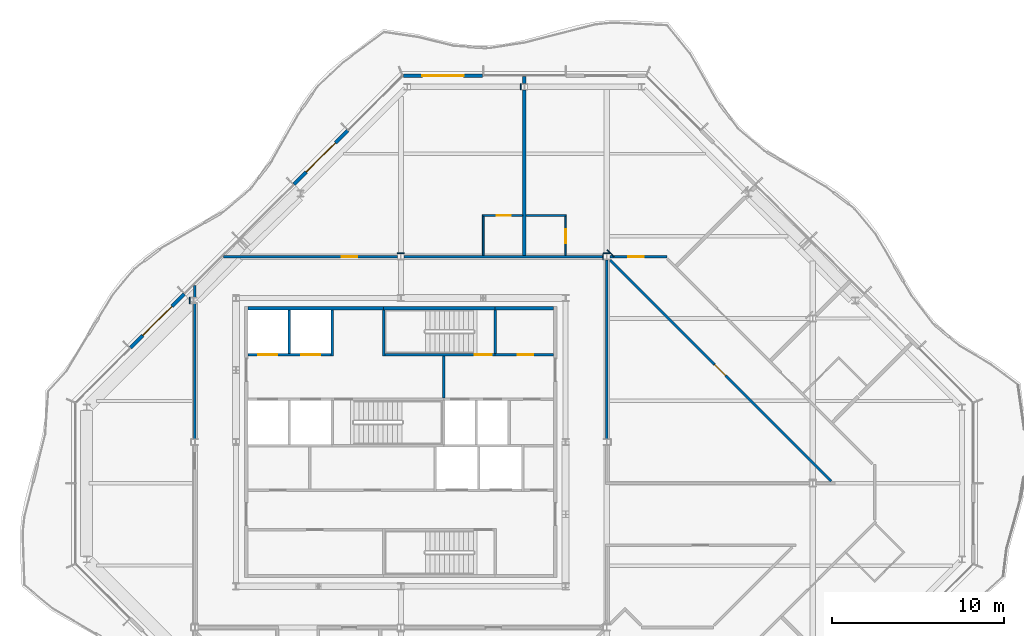
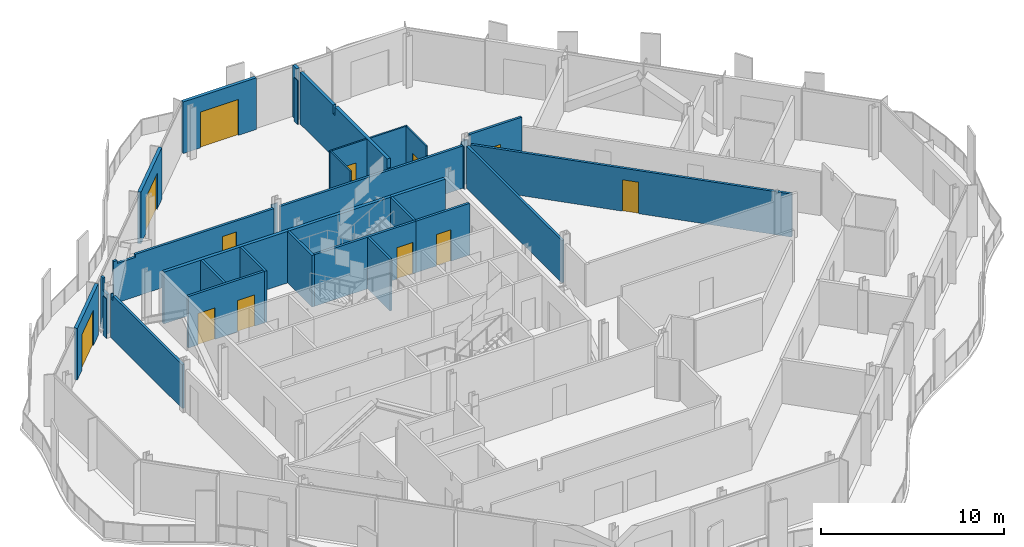
# One storey, part 10 of 16: 33 walls, 12 doors, 12 openings.
"""IFC4 building model written with IfcOpenShell, lengths in metres."""

from ifc_helpers import new_model, si_unit, direction, frame, frame_2d, origin, place, context, subcontext, project, spatial, polyline, rectangle, outline, extrude, material, layer, layer_set, type_object, element, fill, save


model = new_model("IFC4")

# Units and contexts
model_context = context("Model", 3, precision=1e-05, world=origin(), true_north=direction((0.0, 1.0)))
body_context = subcontext(model_context, "Body", "Model", "MODEL_VIEW")
ifc_project = project(units=[si_unit("LENGTHUNIT", "METRE"), si_unit("AREAUNIT", "SQUARE_METRE"), si_unit("VOLUMEUNIT", "CUBIC_METRE"), si_unit("PLANEANGLEUNIT", "RADIAN"), si_unit("MASSUNIT", "GRAM", prefix="KILO")], contexts=[model_context])

# Site, building, storey
site_placement = place(None, origin())
site = spatial("IfcSite", under=ifc_project, at=site_placement, CompositionType="ELEMENT")
building_placement = place(site_placement, origin())
building = spatial("IfcBuilding", under=site, at=building_placement, Name="Cairn Pilgrim Tower", CompositionType="ELEMENT")
storey_placement = place(building_placement, frame((0.0, 0.0, 288.60009765625)))
storey = spatial("IfcBuildingStorey", under=building, at=storey_placement, Name="L74", CompositionType="ELEMENT", Elevation=288.60009765625)

# Wall, opening, door
ifc_material_1 = material(Name="Bronze anodised aluminium insulated sandwich panel with mineral wool fill", Category="aluminium")
ifc_layer_1 = layer(ifc_material_1, 0.199951171875)
ifc_layer_set_1 = layer_set([ifc_layer_1], Name="BRONZE INFILL FRAME WALL 200")
wall_type_1 = type_object("IfcWallType", Name="BRONZE INFILL FRAME WALL 200", PredefinedType="NOTDEFINED", material=ifc_layer_set_1)
wall_1_placement = place(storey_placement, frame((11.969970703125, 23.75, 0.0), z_axis=(0.0, 0.0, 1.0), x_axis=(-1.0, 0.0, 0.0)))
wall_1 = element("IfcWall", 1, at=wall_1_placement, inside=storey, type_object=wall_type_1, Name="Bronze infill frame wall IW-N3", PredefinedType="NOTDEFINED", context=body_context, shape_type="SweptSolid", body=[
    extrude(rectangle(XDim=4.62646484375, YDim=0.199951171875, at=frame_2d((2.313232421875, 0.0))), origin(), (0.0, 0.0, 1.0), 3.449951171875),
])
opening_1_placement = place(wall_1_placement, frame((1.117919921875, 0.0, 0.0)))
opening_1 = element("IfcOpeningElement", 2, at=opening_1_placement, cuts=wall_1, Name="Opening 7407B2", PredefinedType="OPENING", context=body_context, shape_type="SweptSolid", body=[
    extrude(rectangle(XDim=2.39990234375, YDim=2.39990234375, at=frame_2d((1.199951171875, 1.199951171875))), frame((0.0, 0.10986328125, 0.0), z_axis=(0.0, -1.0, 0.0), x_axis=(1.0, 0.0, 0.0)), (0.0, 0.0, 1.0), 0.219970703125),
])
ifc_material_2 = material(Name="Bronze anodised aluminium frame with tinted low-E glass", Category="aluminium")
door_type_1 = type_object("IfcDoorType", Name="BALCONY SLIDING DOOR 2400x2400", OperationType="DOUBLE_DOOR_SLIDING", PredefinedType="DOOR", material=ifc_material_2)
door_1_placement = place(opening_1_placement, origin())
door_1 = element("IfcDoor", 3, at=door_1_placement, inside=storey, type_object=door_type_1, Name="Balcony sliding door 7407B2", OperationType="SINGLE_SWING_LEFT", OverallHeight=2.39990234375, OverallWidth=2.39990234375, PredefinedType="DOOR", context=body_context, shape_type="SweptSolid", body=[
    extrude(rectangle(XDim=2.39990234375, YDim=2.39990234375, at=frame_2d((1.199951171875, 1.199951171875))), frame((0.0, 0.02490234375, 0.0), z_axis=(0.0, -1.0, 0.0), x_axis=(1.0, 0.0, 0.0)), (0.0, 0.0, 1.0), 0.050048828125),
])
fill(opening_1, door_1)

wall_2_placement = place(storey_placement, frame((4.106689453125, 20.55322265625, 0.0), z_axis=(0.0, 0.0, 1.0), x_axis=(-0.707079231393, -0.707134329907, 0.0)))
wall_2 = element("IfcWall", 4, at=wall_2_placement, inside=storey, type_object=wall_type_1, Name="Bronze infill frame wall IW-NW2", PredefinedType="NOTDEFINED", context=body_context, shape_type="SweptSolid", body=[
    extrude(rectangle(XDim=4.430908203125, YDim=0.199951171875, at=frame_2d((2.21533203125, 0.0))), origin(), (0.0, 0.0, 1.0), 3.449951171875),
])
opening_2_placement = place(wall_2_placement, frame((1.015380859375, 0.0, 0.0)))
opening_2 = element("IfcOpeningElement", 5, at=opening_2_placement, cuts=wall_2, Name="Opening 7407B", PredefinedType="OPENING", context=body_context, shape_type="SweptSolid", body=[
    extrude(rectangle(XDim=2.39990234375, YDim=2.39990234375, at=frame_2d((1.199951171875, 1.199951171875))), frame((0.0, 0.10986328125, 0.0), z_axis=(0.0, -1.0, 0.0), x_axis=(1.0, 0.0, 0.0)), (0.0, 0.0, 1.0), 0.219970703125),
])
door_2_placement = place(opening_2_placement, origin())
door_2 = element("IfcDoor", 6, at=door_2_placement, inside=storey, type_object=door_type_1, Name="Balcony sliding door 7407B", OperationType="SINGLE_SWING_LEFT", OverallHeight=2.39990234375, OverallWidth=2.39990234375, PredefinedType="DOOR", context=body_context, shape_type="SweptSolid", body=[
    extrude(rectangle(XDim=2.39990234375, YDim=2.39990234375, at=frame_2d((1.199951171875, 1.199951171875))), frame((0.0, 0.02490234375, 0.0), z_axis=(0.0, -1.0, 0.0), x_axis=(1.0, 0.0, 0.0)), (0.0, 0.0, 1.0), 0.050048828125),
])
fill(opening_2, door_2)

wall_3_placement = place(storey_placement, frame((-5.419921875, 11.0263671875, 0.0), z_axis=(0.0, 0.0, 1.0), x_axis=(-0.707134329907, -0.707079231393, 0.0)))
wall_3 = element("IfcWall", 7, at=wall_3_placement, inside=storey, type_object=wall_type_1, Name="Bronze infill frame wall IW-NW5", PredefinedType="NOTDEFINED", context=body_context, shape_type="SweptSolid", body=[
    extrude(rectangle(XDim=4.430908203125, YDim=0.199951171875, at=frame_2d((2.21533203125, 0.0))), origin(), (0.0, 0.0, 1.0), 3.449951171875),
])
opening_3_placement = place(wall_3_placement, frame((1.01513671875, 0.0, 0.0)))
opening_3 = element("IfcOpeningElement", 8, at=opening_3_placement, cuts=wall_3, Name="Opening 7408B", PredefinedType="OPENING", context=body_context, shape_type="SweptSolid", body=[
    extrude(rectangle(XDim=2.39990234375, YDim=2.39990234375, at=frame_2d((1.199951171875, 1.199951171875))), frame((0.0, 0.10986328125, 0.0), z_axis=(0.0, -1.0, 0.0), x_axis=(1.0, 0.0, 0.0)), (0.0, 0.0, 1.0), 0.219970703125),
])
door_3_placement = place(opening_3_placement, origin())
door_3 = element("IfcDoor", 9, at=door_3_placement, inside=storey, type_object=door_type_1, Name="Balcony sliding door 7408B", OperationType="SINGLE_SWING_LEFT", OverallHeight=2.39990234375, OverallWidth=2.39990234375, PredefinedType="DOOR", context=body_context, shape_type="SweptSolid", body=[
    extrude(rectangle(XDim=2.39990234375, YDim=2.39990234375, at=frame_2d((1.199951171875, 1.199951171875))), frame((0.0, 0.02490234375, 0.0), z_axis=(0.0, -1.0, 0.0), x_axis=(1.0, 0.0, 0.0)), (0.0, 0.0, 1.0), 0.050048828125),
])
fill(opening_3, door_3)

# Walls
ifc_material_3 = material(Name="Concrete C32/40", Category="concrete")
ifc_layer_2 = layer(ifc_material_3, 0.199951171875)
ifc_layer_set_2 = layer_set([ifc_layer_2], Name="CORE OUTER WALL 200 EI 120")
wall_type_2 = type_object("IfcWallType", Name="CORE OUTER WALL 200 EI 120", PredefinedType="SOLIDWALL", material=ifc_layer_set_2)
wall_4_placement = place(storey_placement, frame((-1.699951171875, 10.199951171875, 0.0), z_axis=(0.0, 0.0, 1.0), x_axis=(1.0, 0.0, 0.0)))
element("IfcWall", 10, at=wall_4_placement, inside=storey, type_object=wall_type_2, Name="CW:L74:H12-1", PredefinedType="SOLIDWALL", context=body_context, shape_type="SweptSolid", body=[
    extrude(rectangle(XDim=7.89990234375, YDim=0.199951171875, at=frame_2d((3.949951171875, 0.0))), origin(), (0.0, 0.0, 1.0), 3.449951171875),
])
wall_5_placement = place(storey_placement, frame((12.699951171875, 10.199951171875, 0.0), z_axis=(0.0, 0.0, 1.0), x_axis=(1.0, 0.0, 0.0)))
element("IfcWall", 11, at=wall_5_placement, inside=storey, type_object=wall_type_2, Name="CW:L74:H12-3", PredefinedType="SOLIDWALL", context=body_context, shape_type="SweptSolid", body=[
    extrude(rectangle(XDim=3.400146484375, YDim=0.199951171875, at=frame_2d((1.7001953125, 0.0))), origin(), (0.0, 0.0, 1.0), 3.449951171875),
])

# Wall, openings, doors
ifc_layer_3 = layer(ifc_material_3, 0.14990234375)
ifc_layer_set_3 = layer_set([ifc_layer_3], Name="CORE SHAFT WALL 150 EI 120")
wall_type_3 = type_object("IfcWallType", Name="CORE SHAFT WALL 150 EI 120", PredefinedType="SOLIDWALL", material=ifc_layer_set_3)
wall_6_placement = place(storey_placement, frame((-1.699951171875, 7.5, 0.0), z_axis=(0.0, 0.0, 1.0), x_axis=(1.0, 0.0, 0.0)))
wall_6 = element("IfcWall", 12, at=wall_6_placement, inside=storey, type_object=wall_type_3, Name="CW:L74:H10", PredefinedType="SOLIDWALL", context=body_context, shape_type="SweptSolid", body=[
    extrude(rectangle(XDim=4.824951171875, YDim=0.14990234375, at=frame_2d((2.41259765625, 0.0))), origin(), (0.0, 0.0, 1.0), 3.449951171875),
])
opening_4_placement = place(wall_6_placement, frame((0.60009765625, 0.0, 0.0)))
opening_4 = element("IfcOpeningElement", 13, at=opening_4_placement, cuts=wall_6, Name="Opening LD-HR3", PredefinedType="OPENING", context=body_context, shape_type="SweptSolid", body=[
    extrude(rectangle(XDim=1.10009765625, YDim=2.10009765625, at=frame_2d((0.550048828125, 1.050048828125))), frame((0.0, 0.0849609375, 0.0), z_axis=(0.0, -1.0, 0.0), x_axis=(1.0, 0.0, 0.0)), (0.0, 0.0, 1.0), 0.169921875),
])
opening_5_placement = place(wall_6_placement, frame((3.10009765625, 0.0, 0.0)))
opening_5 = element("IfcOpeningElement", 14, at=opening_5_placement, cuts=wall_6, Name="Opening LD-HR4", PredefinedType="OPENING", context=body_context, shape_type="SweptSolid", body=[
    extrude(rectangle(XDim=1.10009765625, YDim=2.10009765625, at=frame_2d((0.550048828125, 1.050048828125))), frame((0.0, 0.0849609375, 0.0), z_axis=(0.0, -1.0, 0.0), x_axis=(1.0, 0.0, 0.0)), (0.0, 0.0, 1.0), 0.169921875),
])
ifc_material_4 = material(Name="Stainless steel", Category="steel")
door_type_2 = type_object("IfcDoorType", Name="LIFT LANDING DOOR 1100x2100", OperationType="DOUBLE_DOOR_SLIDING", PredefinedType="DOOR", material=ifc_material_4)
door_4_placement = place(opening_4_placement, origin())
door_4 = element("IfcDoor", 15, at=door_4_placement, inside=storey, type_object=door_type_2, Name="LANDING DOOR HR3", OperationType="DOUBLE_DOOR_SLIDING", OverallHeight=2.10009765625, OverallWidth=1.10009765625, PredefinedType="DOOR", context=body_context, shape_type="SweptSolid", body=[
    extrude(rectangle(XDim=1.10009765625, YDim=2.10009765625, at=frame_2d((0.550048828125, 1.050048828125))), frame((0.0, 0.02490234375, 0.0), z_axis=(0.0, -1.0, 0.0), x_axis=(1.0, 0.0, 0.0)), (0.0, 0.0, 1.0), 0.050048828125),
])
fill(opening_4, door_4)
door_5_placement = place(opening_5_placement, origin())
door_5 = element("IfcDoor", 16, at=door_5_placement, inside=storey, type_object=door_type_2, Name="LANDING DOOR HR4", OperationType="DOUBLE_DOOR_SLIDING", OverallHeight=2.10009765625, OverallWidth=1.10009765625, PredefinedType="DOOR", context=body_context, shape_type="SweptSolid", body=[
    extrude(rectangle(XDim=1.10009765625, YDim=2.10009765625, at=frame_2d((0.550048828125, 1.050048828125))), frame((0.0, 0.02490234375, 0.0), z_axis=(0.0, -1.0, 0.0), x_axis=(1.0, 0.0, 0.0)), (0.0, 0.0, 1.0), 0.050048828125),
])
fill(opening_5, door_5)

# Wall, opening, door
wall_7_placement = place(storey_placement, frame((12.699951171875, 7.5, 0.0), z_axis=(0.0, 0.0, 1.0), x_axis=(1.0, 0.0, 0.0)))
wall_7 = element("IfcWall", 17, at=wall_7_placement, inside=storey, type_object=wall_type_3, Name="CW:L74:H11-2", PredefinedType="SOLIDWALL", context=body_context, shape_type="SweptSolid", body=[
    extrude(rectangle(XDim=3.400146484375, YDim=0.14990234375, at=frame_2d((1.7001953125, 0.0))), origin(), (0.0, 0.0, 1.0), 3.449951171875),
])
opening_6_placement = place(wall_7_placement, frame((1.300048828125, 0.0, 0.0)))
opening_6 = element("IfcOpeningElement", 18, at=opening_6_placement, cuts=wall_7, Name="Opening RD-R4E", PredefinedType="OPENING", context=body_context, shape_type="SweptSolid", body=[
    extrude(rectangle(XDim=0.89990234375, YDim=2.10009765625, at=frame_2d((0.449951171875, 1.050048828125))), frame((0.0, 0.0849609375, 0.0), z_axis=(0.0, -1.0, 0.0), x_axis=(1.0, 0.0, 0.0)), (0.0, 0.0, 1.0), 0.169921875),
])
ifc_material_5 = material(Name="Painted steel", Category="steel")
door_type_3 = type_object("IfcDoorType", Name="SERVICE ROOM DOOR 900x2100", OperationType="SINGLE_SWING_LEFT", PredefinedType="DOOR", material=ifc_material_5)
door_6_placement = place(opening_6_placement, origin())
door_6 = element("IfcDoor", 19, at=door_6_placement, inside=storey, type_object=door_type_3, Name="RD-R4E", OperationType="SINGLE_SWING_RIGHT", OverallHeight=2.10009765625, OverallWidth=0.89990234375, PredefinedType="DOOR", context=body_context, shape_type="SweptSolid", body=[
    extrude(rectangle(XDim=0.89990234375, YDim=2.10009765625, at=frame_2d((0.449951171875, 1.050048828125))), frame((0.0, 0.02490234375, 0.0), z_axis=(0.0, -1.0, 0.0), x_axis=(1.0, 0.0, 0.0)), (0.0, 0.0, 1.0), 0.050048828125),
])
fill(opening_6, door_6)

# Walls
wall_8_placement = place(storey_placement, frame((0.699951171875, 7.574951171875, 0.0), z_axis=(0.0, 0.0, 1.0), x_axis=(0.0, 1.0, 0.0)))
element("IfcWall", 20, at=wall_8_placement, inside=storey, type_object=wall_type_3, Name="CW:L74:V15", PredefinedType="SOLIDWALL", context=body_context, shape_type="SweptSolid", body=[
    extrude(rectangle(XDim=2.525146484375, YDim=0.14990234375, at=frame_2d((1.2626953125, 0.0))), origin(), (0.0, 0.0, 1.0), 3.449951171875),
])
wall_9_placement = place(storey_placement, frame((3.199951171875, 7.425048828125, 0.0), z_axis=(0.0, 0.0, 1.0), x_axis=(0.0, 1.0, 0.0)))
element("IfcWall", 21, at=wall_9_placement, inside=storey, type_object=wall_type_3, Name="CW:L74:V18", PredefinedType="SOLIDWALL", context=body_context, shape_type="SweptSolid", body=[
    extrude(rectangle(XDim=2.675048828125, YDim=0.14990234375, at=frame_2d((1.33740234375, 0.0))), origin(), (0.0, 0.0, 1.0), 3.449951171875),
])
wall_10_placement = place(storey_placement, frame((9.699951171875, 4.97509765625, 0.0), z_axis=(0.0, 0.0, 1.0), x_axis=(0.0, 1.0, 0.0)))
element("IfcWall", 22, at=wall_10_placement, inside=storey, type_object=wall_type_3, Name="CW:L74:V23", PredefinedType="SOLIDWALL", context=body_context, shape_type="SweptSolid", body=[
    extrude(rectangle(XDim=2.449951171875, YDim=0.14990234375, at=frame_2d((1.22509765625, 0.0))), origin(), (0.0, 0.0, 1.0), 3.449951171875),
])
ifc_material_6 = material(Name="Gypsum partition")
ifc_layer_4 = layer(ifc_material_6, 0.10009765625)
ifc_layer_set_4 = layer_set([ifc_layer_4], Name="PARTITION 100 DRYWALL")
wall_type_4 = type_object("IfcWallType", Name="PARTITION 100 DRYWALL", PredefinedType="PARTITIONING", material=ifc_layer_set_4)
wall_11_placement = place(storey_placement, frame((12.0, 13.27490234375, 0.0), z_axis=(0.0, 0.0, 1.0), x_axis=(0.0, 1.0, 0.0)))
element("IfcWall", 23, at=wall_11_placement, inside=storey, type_object=wall_type_4, Name="PARTITION W056", PredefinedType="PARTITIONING", context=body_context, shape_type="SweptSolid", body=[
    extrude(outline(polyline([(0.0, 0.0), (2.275146484375, 0.0), (2.27490234375, 3.449951171875), (0.074951171875, 3.449951171875), (0.072998046875, 2.829833984375), (0.0, 2.829833984375), (0.0, 0.0)])), frame((0.0, 0.050048828125, 0.0), z_axis=(0.0, -1.0, 0.0), x_axis=(1.0, 0.0, 0.0)), (0.0, 0.0, 1.0), 0.10009765625),
])

# Wall, opening, door
wall_12_placement = place(storey_placement, frame((16.800048828125, 13.27490234375, 0.0), z_axis=(0.0, 0.0, 1.0), x_axis=(0.0, 1.0, 0.0)))
wall_12 = element("IfcWall", 24, at=wall_12_placement, inside=storey, type_object=wall_type_4, Name="PARTITION W058", PredefinedType="PARTITIONING", context=body_context, shape_type="SweptSolid", body=[
    extrude(outline(polyline([(0.0, 0.0), (2.275146484375, 0.0), (2.27490234375, 3.449951171875), (0.074951171875, 3.449951171875), (0.072998046875, 2.829833984375), (0.0, 2.829833984375), (0.0, 0.0)])), frame((0.0, 0.050048828125, 0.0), z_axis=(0.0, -1.0, 0.0), x_axis=(1.0, 0.0, 0.0)), (0.0, 0.0, 1.0), 0.10009765625),
])
opening_7_placement = place(wall_12_placement, frame((0.72509765625, 0.0, 0.0)))
opening_7 = element("IfcOpeningElement", 25, at=opening_7_placement, cuts=wall_12, Name="Opening 7406A", PredefinedType="OPENING", context=body_context, shape_type="SweptSolid", body=[
    extrude(rectangle(XDim=0.800048828125, YDim=2.10009765625, at=frame_2d((0.39990234375, 1.050048828125))), frame((0.0, 0.06005859375, 0.0), z_axis=(0.0, -1.0, 0.0), x_axis=(1.0, 0.0, 0.0)), (0.0, 0.0, 1.0), 0.1201171875),
])
ifc_material_7 = material(Name="Timber door leaf", Category="wood")
door_type_4 = type_object("IfcDoorType", Name="WC DOOR 800x2100", OperationType="NOTDEFINED", PredefinedType="DOOR", material=ifc_material_7)
door_7_placement = place(opening_7_placement, frame((0.800048828125, 0.0, 0.0), z_axis=(0.0, 0.0, 1.0), x_axis=(-1.0, 0.0, 0.0)))
door_7 = element("IfcDoor", 26, at=door_7_placement, inside=storey, type_object=door_type_4, Name="DOOR 7406A", OperationType="SINGLE_SWING_LEFT", OverallHeight=2.10009765625, OverallWidth=0.800048828125, PredefinedType="DOOR", context=body_context, shape_type="SweptSolid", body=[
    extrude(rectangle(XDim=0.800048828125, YDim=2.10009765625, at=frame_2d((0.39990234375, 1.050048828125))), frame((0.0, 0.02490234375, 0.0), z_axis=(0.0, -1.0, 0.0), x_axis=(1.0, 0.0, 0.0)), (0.0, 0.0, 1.0), 0.050048828125),
])
fill(opening_7, door_7)

wall_13_placement = place(storey_placement, frame((11.949951171875, 15.60009765625, 0.0), z_axis=(0.0, 0.0, 1.0), x_axis=(1.0, 0.0, 0.0)))
wall_13 = element("IfcWall", 27, at=wall_13_placement, inside=storey, type_object=wall_type_4, Name="PARTITION W059", PredefinedType="PARTITIONING", context=body_context, shape_type="SweptSolid", body=[
    extrude(rectangle(XDim=2.35009765625, YDim=0.10009765625, at=frame_2d((1.175048828125, 0.0))), origin(), (0.0, 0.0, 1.0), 3.449951171875),
])
opening_8_placement = place(wall_13_placement, frame((0.85009765625, 0.0, 0.0)))
opening_8 = element("IfcOpeningElement", 28, at=opening_8_placement, cuts=wall_13, Name="Opening 7407A", PredefinedType="OPENING", context=body_context, shape_type="SweptSolid", body=[
    extrude(rectangle(XDim=0.800048828125, YDim=2.10009765625, at=frame_2d((0.39990234375, 1.050048828125))), frame((0.0, 0.06005859375, 0.0), z_axis=(0.0, -1.0, 0.0), x_axis=(1.0, 0.0, 0.0)), (0.0, 0.0, 1.0), 0.1201171875),
])
door_8_placement = place(opening_8_placement, origin())
door_8 = element("IfcDoor", 29, at=door_8_placement, inside=storey, type_object=door_type_4, Name="DOOR 7407A", OperationType="SINGLE_SWING_LEFT", OverallHeight=2.10009765625, OverallWidth=0.800048828125, PredefinedType="DOOR", context=body_context, shape_type="SweptSolid", body=[
    extrude(rectangle(XDim=0.800048828125, YDim=2.10009765625, at=frame_2d((0.39990234375, 1.050048828125))), frame((0.0, 0.02490234375, 0.0), z_axis=(0.0, -1.0, 0.0), x_axis=(1.0, 0.0, 0.0)), (0.0, 0.0, 1.0), 0.050048828125),
])
fill(opening_8, door_8)

# Wall
wall_14_placement = place(storey_placement, frame((14.5, 15.60009765625, 0.0), z_axis=(0.0, 0.0, 1.0), x_axis=(1.0, 0.0, 0.0)))
element("IfcWall", 30, at=wall_14_placement, inside=storey, type_object=wall_type_4, Name="PARTITION W060", PredefinedType="PARTITIONING", context=body_context, shape_type="SweptSolid", body=[
    extrude(rectangle(XDim=2.35009765625, YDim=0.10009765625, at=frame_2d((1.175048828125, 0.0))), origin(), (0.0, 0.0, 1.0), 3.449951171875),
])

# Wall, opening, door
ifc_layer_5 = layer(ifc_material_6, 0.14990234375)
ifc_layer_set_5 = layer_set([ifc_layer_5], Name="PARTITION 150 DRYWALL EI 60")
wall_type_5 = type_object("IfcWallType", Name="PARTITION 150 DRYWALL EI 60", PredefinedType="PARTITIONING", material=ifc_layer_set_5)
wall_15_placement = place(storey_placement, frame((32.27197265625, 0.1279296875, 0.0), z_axis=(0.0, 0.0, 1.0), x_axis=(-0.707106781187, 0.707106781187, 0.0)))
wall_15 = element("IfcWall", 31, at=wall_15_placement, inside=storey, type_object=wall_type_5, Name="PARTITION W041", PredefinedType="PARTITIONING", context=body_context, shape_type="SweptSolid", body=[
    extrude(rectangle(XDim=18.21484375, YDim=0.14990234375, at=frame_2d((9.107421875, 0.0))), origin(), (0.0, 0.0, 1.0), 2.8798828125),
])
opening_9_placement = place(wall_15_placement, frame((8.702880859375, 0.0, 0.0)))
opening_9 = element("IfcOpeningElement", 32, at=opening_9_placement, cuts=wall_15, Name="Opening 7412", PredefinedType="OPENING", context=body_context, shape_type="SweptSolid", body=[
    extrude(rectangle(XDim=0.89990234375, YDim=2.10009765625, at=frame_2d((0.449951171875, 1.050048828125))), frame((0.0, 0.0849609375, 0.0), z_axis=(0.0, -1.0, 0.0), x_axis=(1.0, 0.0, 0.0)), (0.0, 0.0, 1.0), 0.169921875),
])
door_type_5 = type_object("IfcDoorType", Name="SERVICE DOOR 900x2100 FD30S", OperationType="NOTDEFINED", PredefinedType="DOOR", material=ifc_material_7)
door_9_placement = place(opening_9_placement, origin())
door_9 = element("IfcDoor", 33, at=door_9_placement, inside=storey, type_object=door_type_5, Name="DOOR 7412", OperationType="SINGLE_SWING_RIGHT", OverallHeight=2.10009765625, OverallWidth=0.89990234375, PredefinedType="DOOR", context=body_context, shape_type="SweptSolid", body=[
    extrude(rectangle(XDim=0.89990234375, YDim=2.10009765625, at=frame_2d((0.449951171875, 1.050048828125))), frame((0.0, 0.02490234375, 0.0), z_axis=(0.0, -1.0, 0.0), x_axis=(1.0, 0.0, 0.0)), (0.0, 0.0, 1.0), 0.050048828125),
])
fill(opening_9, door_9)

# Walls
wall_16_placement = place(storey_placement, frame((-4.800048828125, 2.58740234375, 0.0), z_axis=(0.0, 0.0, 1.0), x_axis=(0.0, 1.0, 0.0)))
element("IfcWall", 34, at=wall_16_placement, inside=storey, type_object=wall_type_5, Name="PARTITION W043", PredefinedType="PARTITIONING", context=body_context, shape_type="SweptSolid", body=[
    extrude(outline(polyline([(0.0, 0.0), (7.880126953125, 0.0), (7.8798828125, 2.929931640625), (7.814453125, 2.929931640625), (7.8125, 2.6298828125), (7.56982421875, 2.6298828125), (7.56787109375, 2.929931640625), (0.0, 2.929931640625), (0.0, 0.0)])), frame((0.0, 0.074951171875, 0.0), z_axis=(0.0, -1.0, 0.0), x_axis=(1.0, 0.0, 0.0)), (0.0, 0.0, 1.0), 0.14990234375),
])
wall_17_placement = place(storey_placement, frame((19.199951171875, 2.58740234375, 0.0), z_axis=(0.0, 0.0, 1.0), x_axis=(0.0, 1.0, 0.0)))
element("IfcWall", 35, at=wall_17_placement, inside=storey, type_object=wall_type_5, Name="PARTITION W044", PredefinedType="PARTITIONING", context=body_context, shape_type="SweptSolid", body=[
    extrude(rectangle(XDim=10.425048828125, YDim=0.14990234375, at=frame_2d((5.21240234375, 0.0))), origin(), (0.0, 0.0, 1.0), 2.829833984375),
])
wall_18_placement = place(storey_placement, frame((-4.800048828125, 10.83544921875, 0.0), z_axis=(0.0, 0.0, 1.0), x_axis=(0.0, 1.0, 0.0)))
element("IfcWall", 36, at=wall_18_placement, inside=storey, type_object=wall_type_5, Name="PARTITION W051", PredefinedType="PARTITIONING", context=body_context, shape_type="SweptSolid", body=[
    extrude(outline(polyline([(0.0, 0.0), (0.690673828125, 0.0), (0.690673828125, 3.449951171875), (0.461669921875, 3.449951171875), (0.459716796875, 2.6298828125), (0.0, 2.6298828125), (0.0, 0.0)])), frame((0.0, 0.074951171875, 0.0), z_axis=(0.0, -1.0, 0.0), x_axis=(1.0, 0.0, 0.0)), (0.0, 0.0, 1.0), 0.14990234375),
])

# Wall, opening, door
wall_19_placement = place(storey_placement, frame((-3.126220703125, 13.199951171875, 0.0), z_axis=(0.0, 0.0, 1.0), x_axis=(1.0, 0.0, 0.0)))
wall_19 = element("IfcWall", 37, at=wall_19_placement, inside=storey, type_object=wall_type_5, Name="PARTITION W053", PredefinedType="PARTITIONING", context=body_context, shape_type="SweptSolid", body=[
    extrude(outline(polyline([(0.0, 0.0), (10.129150390625, 0.0), (10.129150390625, 2.829833984375), (1.368896484375, 2.829833984375), (1.366943359375, 2.6298828125), (0.22900390625, 2.6298828125), (0.226806640625, 2.829833984375), (0.0, 2.829833984375), (0.0, 0.0)])), frame((0.0, 0.074951171875, 0.0), z_axis=(0.0, -1.0, 0.0), x_axis=(1.0, 0.0, 0.0)), (0.0, 0.0, 1.0), 0.14990234375),
])
opening_10_placement = place(wall_19_placement, frame((6.8759765625, 0.0, 0.0)))
opening_10 = element("IfcOpeningElement", 38, at=opening_10_placement, cuts=wall_19, Name="Opening 7407", PredefinedType="OPENING", context=body_context, shape_type="SweptSolid", body=[
    extrude(rectangle(XDim=0.89990234375, YDim=2.10009765625, at=frame_2d((0.449951171875, 1.050048828125))), frame((0.0, 0.0849609375, 0.0), z_axis=(0.0, -1.0, 0.0), x_axis=(1.0, 0.0, 0.0)), (0.0, 0.0, 1.0), 0.169921875),
])
door_type_6 = type_object("IfcDoorType", Name="ROOM DOOR 900x2100 FD30S", OperationType="NOTDEFINED", PredefinedType="DOOR", material=ifc_material_7)
door_10_placement = place(opening_10_placement, origin())
door_10 = element("IfcDoor", 39, at=door_10_placement, inside=storey, type_object=door_type_6, Name="DOOR 7407", OperationType="SINGLE_SWING_LEFT", OverallHeight=2.10009765625, OverallWidth=0.89990234375, PredefinedType="DOOR", context=body_context, shape_type="SweptSolid", body=[
    extrude(rectangle(XDim=0.89990234375, YDim=2.10009765625, at=frame_2d((0.449951171875, 1.050048828125))), frame((0.0, 0.02490234375, 0.0), z_axis=(0.0, -1.0, 0.0), x_axis=(1.0, 0.0, 0.0)), (0.0, 0.0, 1.0), 0.050048828125),
])
fill(opening_10, door_10)

# Wall
wall_20_placement = place(storey_placement, frame((7.39697265625, 13.199951171875, 0.0), z_axis=(0.0, 0.0, 1.0), x_axis=(1.0, 0.0, 0.0)))
element("IfcWall", 40, at=wall_20_placement, inside=storey, type_object=wall_type_5, Name="PARTITION W054", PredefinedType="PARTITIONING", context=body_context, shape_type="SweptSolid", body=[
    extrude(rectangle(XDim=11.60595703125, YDim=0.14990234375, at=frame_2d((5.802978515625, 0.0))), origin(), (0.0, 0.0, 1.0), 2.829833984375),
])

# Wall, opening, door
wall_21_placement = place(storey_placement, frame((19.39697265625, 13.199951171875, 0.0), z_axis=(0.0, 0.0, 1.0), x_axis=(1.0, 0.0, 0.0)))
wall_21 = element("IfcWall", 41, at=wall_21_placement, inside=storey, type_object=wall_type_5, Name="PARTITION W055", PredefinedType="PARTITIONING", context=body_context, shape_type="SweptSolid", body=[
    extrude(rectangle(XDim=3.30322265625, YDim=0.14990234375, at=frame_2d((1.651611328125, 0.0))), origin(), (0.0, 0.0, 1.0), 3.449951171875),
])
opening_11_placement = place(wall_21_placement, frame((1.050048828125, 0.0, 0.0)))
opening_11 = element("IfcOpeningElement", 42, at=opening_11_placement, cuts=wall_21, Name="Opening 7406", PredefinedType="OPENING", context=body_context, shape_type="SweptSolid", body=[
    extrude(rectangle(XDim=0.89990234375, YDim=2.10009765625, at=frame_2d((0.449951171875, 1.050048828125))), frame((0.0, 0.0849609375, 0.0), z_axis=(0.0, -1.0, 0.0), x_axis=(1.0, 0.0, 0.0)), (0.0, 0.0, 1.0), 0.169921875),
])
door_11_placement = place(opening_11_placement, origin())
door_11 = element("IfcDoor", 43, at=door_11_placement, inside=storey, type_object=door_type_6, Name="DOOR 7406", OperationType="SINGLE_SWING_LEFT", OverallHeight=2.10009765625, OverallWidth=0.89990234375, PredefinedType="DOOR", context=body_context, shape_type="SweptSolid", body=[
    extrude(rectangle(XDim=0.89990234375, YDim=2.10009765625, at=frame_2d((0.449951171875, 1.050048828125))), frame((0.0, 0.02490234375, 0.0), z_axis=(0.0, -1.0, 0.0), x_axis=(1.0, 0.0, 0.0)), (0.0, 0.0, 1.0), 0.050048828125),
])
fill(opening_11, door_11)

# Walls
ifc_layer_6 = layer(ifc_material_6, 0.050048828125)
ifc_layer_set_6 = layer_set([ifc_layer_6], Name="PARTITION 50 DRYWALL EI 60")
wall_type_6 = type_object("IfcWallType", Name="PARTITION 50 DRYWALL EI 60", PredefinedType="PARTITIONING", material=ifc_layer_set_6)
wall_22_placement = place(storey_placement, frame((-5.09619140625, 10.467529296875, 0.0), z_axis=(0.0, 0.0, 1.0), x_axis=(0.0, 1.0, 0.0)))
element("IfcWall", 44, at=wall_22_placement, inside=storey, type_object=wall_type_6, Name="COLUMN CASING WC07", PredefinedType="PARTITIONING", context=body_context, shape_type="SweptSolid", body=[
    extrude(rectangle(XDim=0.367919921875, YDim=0.050048828125, at=frame_2d((0.18408203125, 0.0))), origin(), (0.0, 0.0, 1.0), 2.6298828125),
])
wall_23_placement = place(storey_placement, frame((18.97802734375, 13.012451171875, 0.0), z_axis=(0.0, 0.0, 1.0), x_axis=(0.0, 1.0, 0.0)))
element("IfcWall", 45, at=wall_23_placement, inside=storey, type_object=wall_type_6, Name="COLUMN CASING WC14", PredefinedType="PARTITIONING", context=body_context, shape_type="SweptSolid", body=[
    extrude(rectangle(XDim=0.375, YDim=0.050048828125, at=frame_2d((0.1875, 0.0))), origin(), (0.0, 0.0, 1.0), 2.829833984375),
])
wall_24_placement = place(storey_placement, frame((19.602294921875, 13.2177734375, 0.0), z_axis=(0.0, 0.0, 1.0), x_axis=(-0.707106781187, 0.707106781187, 0.0)))
element("IfcWall", 46, at=wall_24_placement, inside=storey, type_object=wall_type_6, Name="COLUMN CASING WC15", PredefinedType="PARTITIONING", context=body_context, shape_type="SweptSolid", body=[
    extrude(rectangle(XDim=0.543701171875, YDim=0.050048828125, at=frame_2d((0.27197265625, 0.0))), origin(), (0.0, 0.0, 1.0), 2.929931640625),
])
for number, where, z_axis, x_axis, name in (
    (47, (7.0029296875, 13.41259765625, 0.0), (0.0, 0.0, 1.0), (1.0, 0.0, 0.0), "COLUMN CASING WC18"),
    (48, (19.0029296875, 13.41259765625, 0.0), (0.0, 0.0, 1.0), (1.0, 0.0, 0.0), "COLUMN CASING WC19"),
):
    element("IfcWall", number, at=place(storey_placement, frame(where, z_axis=z_axis, x_axis=x_axis)), inside=storey, type_object=wall_type_6, Name=name, PredefinedType="PARTITIONING", context=body_context, shape_type="SweptSolid", body=[
        extrude(rectangle(XDim=0.39404296875, YDim=0.050048828125, at=frame_2d((0.197021484375, 0.0))), origin(), (0.0, 0.0, 1.0), 2.929931640625),
    ])
wall_25_placement = place(storey_placement, frame((14.179443359375, 22.916015625, 0.0), z_axis=(0.0, 0.0, 1.0), x_axis=(0.0, 1.0, 0.0)))
element("IfcWall", 49, at=wall_25_placement, inside=storey, type_object=wall_type_6, Name="COLUMN CASING WC20", PredefinedType="PARTITIONING", context=body_context, shape_type="SweptSolid", body=[
    extrude(rectangle(XDim=0.367919921875, YDim=0.050048828125, at=frame_2d((0.18408203125, 0.0))), origin(), (0.0, 0.0, 1.0), 2.929931640625),
])
ifc_layer_7 = layer(ifc_material_6, 0.199951171875)
ifc_layer_set_7 = layer_set([ifc_layer_7], Name="SHAFT WALL 200 GYPSUM EI 60")
wall_type_7 = type_object("IfcWallType", Name="SHAFT WALL 200 GYPSUM EI 60", PredefinedType="PARTITIONING", material=ifc_layer_set_7)
wall_26_placement = place(storey_placement, frame((14.39990234375, 13.27490234375, 0.0), z_axis=(0.0, 0.0, 1.0), x_axis=(0.0, 1.0, 0.0)))
element("IfcWall", 50, at=wall_26_placement, inside=storey, type_object=wall_type_7, Name="PARTITION W057", PredefinedType="PARTITIONING", context=body_context, shape_type="SweptSolid", body=[
    extrude(outline(polyline([(0.0, 0.0), (9.64111328125, 0.0), (9.64111328125, 3.449951171875), (6.030029296875, 3.449951171875), (6.028076171875, 2.8798828125), (5.820068359375, 2.8798828125), (5.818115234375, 3.449951171875), (0.074951171875, 3.449951171875), (0.072998046875, 2.829833984375), (0.0, 2.829833984375), (0.0, 0.0)])), frame((0.0, 0.10009765625, 0.0), z_axis=(0.0, -1.0, 0.0), x_axis=(1.0, 0.0, 0.0)), (0.0, 0.0, 1.0), 0.199951171875),
])
wall_27_placement = place(storey_placement, frame((14.39990234375, 23.283935546875, 0.0), z_axis=(0.0, 0.0, 1.0), x_axis=(0.0, 1.0, 0.0)))
element("IfcWall", 51, at=wall_27_placement, inside=storey, type_object=wall_type_7, Name="PARTITION W062", PredefinedType="PARTITIONING", context=body_context, shape_type="SweptSolid", body=[
    extrude(rectangle(XDim=0.4189453125, YDim=0.199951171875, at=frame_2d((0.20947265625, 0.0))), origin(), (0.0, 0.0, 1.0), 3.449951171875),
])

# Wall, opening, door
ifc_material_8 = material(Name="Concrete C35/45", Category="concrete")
ifc_layer_8 = layer(ifc_material_8, 0.14990234375)
ifc_layer_set_8 = layer_set([ifc_layer_8], Name="STAIR SHAFT WALL 150 EI 120")
wall_type_8 = type_object("IfcWallType", Name="STAIR SHAFT WALL 150 EI 120", PredefinedType="SOLIDWALL", material=ifc_layer_set_8)
wall_28_placement = place(storey_placement, frame((6.27490234375, 7.5, 0.0), z_axis=(0.0, 0.0, 1.0), x_axis=(1.0, 0.0, 0.0)))
wall_28 = element("IfcWall", 52, at=wall_28_placement, inside=storey, type_object=wall_type_8, Name="CW:L74:H11-1", PredefinedType="SOLIDWALL", context=body_context, shape_type="SweptSolid", body=[
    extrude(rectangle(XDim=6.425048828125, YDim=0.14990234375, at=frame_2d((3.21240234375, 0.0))), origin(), (0.0, 0.0, 1.0), 3.449951171875),
])
opening_12_placement = place(wall_28_placement, frame((5.22509765625, 0.0, 0.0)))
opening_12 = element("IfcOpeningElement", 53, at=opening_12_placement, cuts=wall_28, Name="Opening SD-C", PredefinedType="OPENING", context=body_context, shape_type="SweptSolid", body=[
    extrude(rectangle(XDim=1.0, YDim=2.10009765625, at=frame_2d((0.5, 1.050048828125))), frame((0.0, 0.0849609375, 0.0), z_axis=(0.0, -1.0, 0.0), x_axis=(1.0, 0.0, 0.0)), (0.0, 0.0, 1.0), 0.169921875),
])
door_type_7 = type_object("IfcDoorType", Name="STAIR DOOR FD60S 1000x2100", OperationType="SINGLE_SWING_LEFT", PredefinedType="DOOR", material=ifc_material_5)
door_12_placement = place(opening_12_placement, origin())
door_12 = element("IfcDoor", 54, at=door_12_placement, inside=storey, type_object=door_type_7, Name="SD-C", OperationType="SINGLE_SWING_LEFT", OverallHeight=2.10009765625, OverallWidth=1.0, PredefinedType="DOOR", context=body_context, shape_type="SweptSolid", body=[
    extrude(rectangle(XDim=1.0, YDim=2.10009765625, at=frame_2d((0.5, 1.050048828125))), frame((0.0, 0.02490234375, 0.0), z_axis=(0.0, -1.0, 0.0), x_axis=(1.0, 0.0, 0.0)), (0.0, 0.0, 1.0), 0.050048828125),
])
fill(opening_12, door_12)

# Walls
wall_29_placement = place(storey_placement, frame((6.199951171875, 7.425048828125, 0.0), z_axis=(0.0, 0.0, 1.0), x_axis=(0.0, 1.0, 0.0)))
element("IfcWall", 55, at=wall_29_placement, inside=storey, type_object=wall_type_8, Name="CW:L74:V20", PredefinedType="SOLIDWALL", context=body_context, shape_type="SweptSolid", body=[
    extrude(rectangle(XDim=2.675048828125, YDim=0.14990234375, at=frame_2d((1.33740234375, 0.0))), origin(), (0.0, 0.0, 1.0), 3.449951171875),
])
wall_30_placement = place(storey_placement, frame((12.699951171875, 7.574951171875, 0.0), z_axis=(0.0, 0.0, 1.0), x_axis=(0.0, 1.0, 0.0)))
element("IfcWall", 56, at=wall_30_placement, inside=storey, type_object=wall_type_8, Name="CW:L74:V27", PredefinedType="SOLIDWALL", context=body_context, shape_type="SweptSolid", body=[
    extrude(rectangle(XDim=2.525146484375, YDim=0.14990234375, at=frame_2d((1.2626953125, 0.0))), origin(), (0.0, 0.0, 1.0), 3.449951171875),
])
ifc_layer_9 = layer(ifc_material_8, 0.199951171875)
ifc_layer_set_9 = layer_set([ifc_layer_9], Name="STAIR SHAFT WALL 200 EI 120")
wall_type_9 = type_object("IfcWallType", Name="STAIR SHAFT WALL 200 EI 120", PredefinedType="SOLIDWALL", material=ifc_layer_set_9)
wall_31_placement = place(storey_placement, frame((6.199951171875, 10.199951171875, 0.0), z_axis=(0.0, 0.0, 1.0), x_axis=(1.0, 0.0, 0.0)))
element("IfcWall", 57, at=wall_31_placement, inside=storey, type_object=wall_type_9, Name="CW:L74:H12-2", PredefinedType="SOLIDWALL", context=body_context, shape_type="SweptSolid", body=[
    extrude(rectangle(XDim=6.5, YDim=0.199951171875, at=frame_2d((3.25, 0.0))), origin(), (0.0, 0.0, 1.0), 3.449951171875),
])

save(model, "model.ifc")
